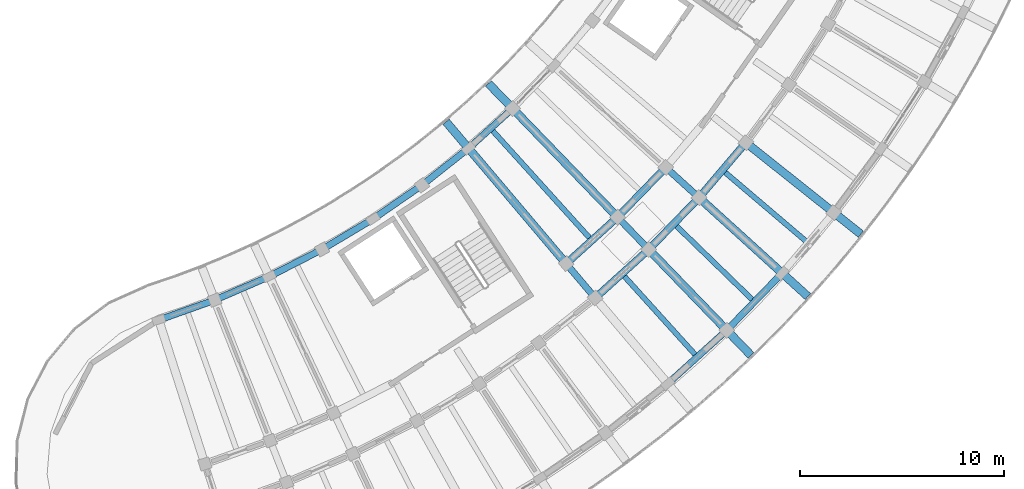
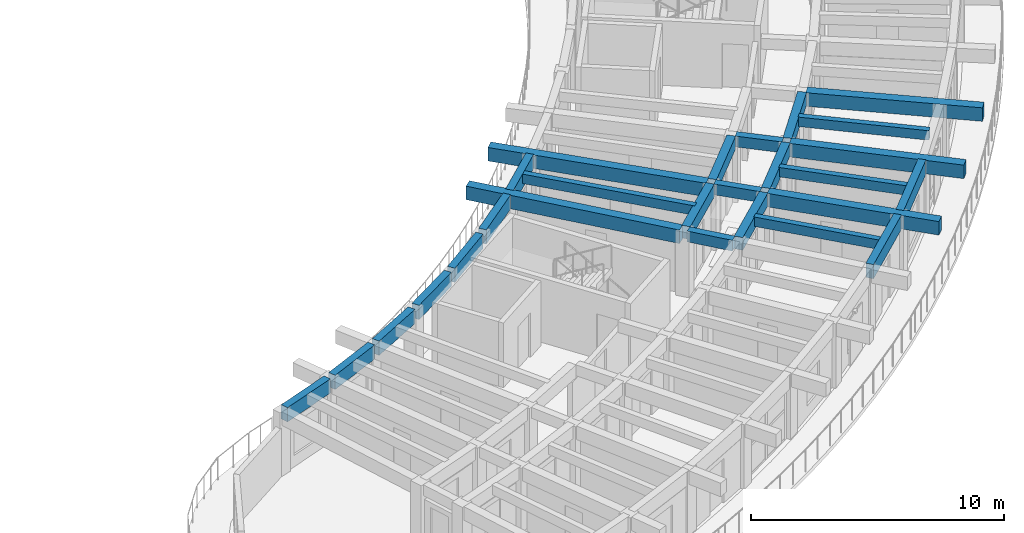
# One storey, part 19 of 78: 26 beams.
"""IFC4 building model written with IfcOpenShell, lengths in metres."""

from ifc_helpers import new_model, si_unit, direction, frame, origin, origin_2d, place, context, subcontext, project, spatial, rectangle, extrude, material, material_profile, profile_set, type_object, element, save


model = new_model("IFC4")

# Units and contexts
model_context = context("Model", 3, precision=1e-05, world=origin(), true_north=direction((0.0, 1.0)))
body_context = subcontext(model_context, "Body", "Model", "MODEL_VIEW")
ifc_project = project(units=[si_unit("LENGTHUNIT", "METRE"), si_unit("AREAUNIT", "SQUARE_METRE"), si_unit("VOLUMEUNIT", "CUBIC_METRE"), si_unit("PLANEANGLEUNIT", "RADIAN"), si_unit("MASSUNIT", "GRAM", prefix="KILO")], contexts=[model_context])

# Site, building, storey
site_placement = place(None, origin())
site = spatial("IfcSite", under=ifc_project, at=site_placement, CompositionType="ELEMENT")
building_placement = place(site_placement, origin())
building = spatial("IfcBuilding", under=site, at=building_placement, Name="Tanwirah Colonnade Gardens", CompositionType="ELEMENT")
storey_placement = place(building_placement, frame((0.0, 0.0, 22.280029296875)))
storey = spatial("IfcBuildingStorey", under=building, at=storey_placement, Name="L06", CompositionType="ELEMENT", Elevation=22.280029296875)

# Beams
ifc_material_1 = material(Name="Precast concrete C40/50", Category="concrete")
ifc_material_profile_1 = material_profile(ifc_material_1, rectangle(XDim=0.360107421875, YDim=0.610107421875, at=origin_2d()), Name="PC-BM 360x610")
ifc_profile_set_1 = profile_set([ifc_material_profile_1], Name="Precast concrete C40/50")
beam_type_1 = type_object("IfcBeamType", Name="BM-PC300", PredefinedType="BEAM", material=ifc_profile_set_1)
beam_1_placement = place(storey_placement, frame((154.61279296875, 25.027099609375, 2.804931640625), z_axis=(0.741698455559, 0.670733479873, 0.0), x_axis=(-0.670733479873, 0.741698455559, 0.0)))
element("IfcBeam", 1, at=beam_1_placement, inside=storey, type_object=beam_type_1, Name="Block D L06 Circumferential Beam 7-R1", PredefinedType="BEAM", context=body_context, shape_type="SweptSolid", body=[
    extrude(rectangle(XDim=0.360107421875, YDim=0.610107421875, at=origin_2d()), origin(), (0.0, 0.0, 1.0), 3.0927734375),
])
beam_2_placement = place(storey_placement, frame((156.0341796875, 23.347900390625, 2.804931640625), z_axis=(0.741701929733, 0.670729638104, 0.0), x_axis=(-0.670729638104, 0.741701929733, 0.0)))
element("IfcBeam", 2, at=beam_2_placement, inside=storey, type_object=beam_type_1, Name="Block D L06 Circumferential Beam 7-R2", PredefinedType="BEAM", context=body_context, shape_type="SweptSolid", body=[
    extrude(rectangle(XDim=0.360107421875, YDim=0.610107421875, at=origin_2d()), origin(), (0.0, 0.0, 1.0), 3.237060546875),
])
beam_3_placement = place(storey_placement, frame((157.12255859375, 27.309814453125, 2.804931640625), z_axis=(0.696209937932, 0.71783822852, 0.0), x_axis=(-0.71783822852, 0.696209937932, 0.0)))
element("IfcBeam", 3, at=beam_3_placement, inside=storey, type_object=beam_type_1, Name="Block D L06 Circumferential Beam 8-R1", PredefinedType="BEAM", context=body_context, shape_type="SweptSolid", body=[
    extrude(rectangle(XDim=0.360107421875, YDim=0.610107421875, at=origin_2d()), origin(), (0.0, 0.0, 1.0), 3.093017578125),
])
for number, where, z_axis, x_axis, name in (
    (4, (158.650634765625, 25.727294921875, 2.804931640625), (0.696238887656, 0.717810149911, 0.0), (-0.717810149911, 0.696238887656, 0.0), "Block D L06 Circumferential Beam 8-R2"),
    (5, (161.10595703125, 28.27294921875, 2.804931640625), (0.6478235549, 0.761790418499, 0.0), (-0.761790418499, 0.6478235549, 0.0), "Block D L06 Circumferential Beam 9-R2"),
):
    element("IfcBeam", number, at=place(storey_placement, frame(where, z_axis=z_axis, x_axis=x_axis)), inside=storey, type_object=beam_type_1, Name=name, PredefinedType="BEAM", context=body_context, shape_type="SweptSolid", body=[
        extrude(rectangle(XDim=0.360107421875, YDim=0.610107421875, at=origin_2d()), origin(), (0.0, 0.0, 1.0), 3.23681640625),
    ])
ifc_material_profile_2 = material_profile(ifc_material_1, rectangle(XDim=0.320068359375, YDim=0.52001953125, at=origin_2d()), Name="PC-BM 320x520")
ifc_profile_set_2 = profile_set([ifc_material_profile_2], Name="Precast concrete C40/50")
beam_type_2 = type_object("IfcBeamType", Name="BM-PC320", PredefinedType="BEAM", material=ifc_profile_set_2)
beam_4_placement = place(storey_placement, frame((154.598388671875, 24.81201171875, 2.849853515625), z_axis=(0.646155325581, -0.763205932382, 0.0), x_axis=(0.763205932382, 0.646155325581, 0.0)))
element("IfcBeam", 6, at=beam_4_placement, inside=storey, type_object=beam_type_2, Name="Block D L06 Corridor Tie Beam 7", PredefinedType="BEAM", context=body_context, shape_type="SweptSolid", body=[
    extrude(rectangle(XDim=0.320068359375, YDim=0.52001953125, at=origin_2d()), origin(), (0.0, 0.0, 1.0), 1.900146484375),
])
beam_5_placement = place(storey_placement, frame((157.122314453125, 27.09423828125, 2.849853515625), z_axis=(0.694663306685, -0.719335033448, 0.0), x_axis=(0.719335033448, 0.694663306685, 0.0)))
element("IfcBeam", 7, at=beam_5_placement, inside=storey, type_object=beam_type_2, Name="Block D L06 Corridor Tie Beam 8", PredefinedType="BEAM", context=body_context, shape_type="SweptSolid", body=[
    extrude(rectangle(XDim=0.320068359375, YDim=0.52001953125, at=origin_2d()), origin(), (0.0, 0.0, 1.0), 1.89990234375),
])
beam_6_placement = place(storey_placement, frame((159.491455078125, 29.536865234375, 2.849853515625), z_axis=(0.740219127015, -0.672365707038, 0.0), x_axis=(0.672365707038, 0.740219127015, 0.0)))
element("IfcBeam", 8, at=beam_6_placement, inside=storey, type_object=beam_type_2, Name="Block D L06 Corridor Tie Beam 9", PredefinedType="BEAM", context=body_context, shape_type="SweptSolid", body=[
    extrude(rectangle(XDim=0.320068359375, YDim=0.52001953125, at=origin_2d()), origin(), (0.0, 0.0, 1.0), 1.899658203125),
])
ifc_material_2 = material(Name="Precast concrete C45/55", Category="concrete")
ifc_material_profile_3 = material_profile(ifc_material_2, rectangle(XDim=0.39990234375, YDim=0.64990234375, at=origin_2d()), Name="PC-BM 400x650")
ifc_profile_set_3 = profile_set([ifc_material_profile_3], Name="Precast concrete C45/55")
beam_type_3 = type_object("IfcBeamType", Name="BM-PC400", PredefinedType="BEAM", material=ifc_profile_set_3)
beam_7_placement = place(storey_placement, frame((154.404541015625, 25.040771484375, 2.784912109375), z_axis=(-0.64611097415, 0.763243479554, 0.0), x_axis=(-0.763243479554, -0.64611097415, 0.0)))
element("IfcBeam", 9, at=beam_7_placement, inside=storey, type_object=beam_type_3, Name="Block D L06 Inner Radial Precast Girder 7", PredefinedType="BEAM", context=body_context, shape_type="SweptSolid", body=[
    extrude(rectangle(XDim=0.39990234375, YDim=0.64990234375, at=origin_2d()), origin(), (0.0, 0.0, 1.0), 8.949951171875),
])
beam_8_placement = place(storey_placement, frame((156.913818359375, 27.31005859375, 2.784912109375), z_axis=(-0.694655848402, 0.719342235852, 0.0), x_axis=(-0.719342235852, -0.694655848402, 0.0)))
element("IfcBeam", 10, at=beam_8_placement, inside=storey, type_object=beam_type_3, Name="Block D L06 Inner Radial Precast Girder 8", PredefinedType="BEAM", context=body_context, shape_type="SweptSolid", body=[
    extrude(rectangle(XDim=0.39990234375, YDim=0.64990234375, at=origin_2d()), origin(), (0.0, 0.0, 1.0), 8.9501953125),
])
beam_9_placement = place(storey_placement, frame((158.650390625, 25.51171875, 2.784912109375), z_axis=(0.69467114255, -0.719327466254, 0.0), x_axis=(0.719327466254, 0.69467114255, 0.0)))
element("IfcBeam", 11, at=beam_9_placement, inside=storey, type_object=beam_type_3, Name="Block D L06 Outer Radial Precast Girder 8", PredefinedType="BEAM", context=body_context, shape_type="SweptSolid", body=[
    extrude(rectangle(XDim=0.39990234375, YDim=0.64990234375, at=origin_2d()), origin(), (0.0, 0.0, 1.0), 7.050048828125),
])
for number, where, z_axis, x_axis, name in (
    (12, (161.119873046875, 28.0576171875, 2.784912109375), (0.740229899169, -0.672353847596, 0.0), (0.672353847596, 0.740229899169, 0.0), "Block D L06 Outer Radial Precast Girder 9"),
    (13, (163.41748046875, 30.759765625, 2.784912109375), (0.782609106384, -0.622513442911, 0.0), (0.622513442911, 0.782609106384, 0.0), "Block D L06 Outer Radial Precast Girder 10"),
):
    element("IfcBeam", number, at=place(storey_placement, frame(where, z_axis=z_axis, x_axis=x_axis)), inside=storey, type_object=beam_type_3, Name=name, PredefinedType="BEAM", context=body_context, shape_type="SweptSolid", body=[
        extrude(rectangle(XDim=0.39990234375, YDim=0.64990234375, at=origin_2d()), origin(), (0.0, 0.0, 1.0), 7.0498046875),
    ])
ifc_material_profile_4 = material_profile(ifc_material_1, rectangle(XDim=0.2548828125, YDim=0.455078125, at=origin_2d()), Name="PC-JST 255x455")
ifc_profile_set_4 = profile_set([ifc_material_profile_4], Name="Precast concrete C40/50")
beam_type_4 = type_object("IfcBeamType", Name="JST-PC240", PredefinedType="JOIST", material=ifc_profile_set_4)
beam_10_placement = place(storey_placement, frame((157.33447265625, 24.322998046875, 2.882568359375), z_axis=(0.670780841255, -0.741655622918, 0.0), x_axis=(0.741655622918, 0.670780841255, 0.0)))
element("IfcBeam", 14, at=beam_10_placement, inside=storey, type_object=beam_type_4, Name="Block D L06 Precast Floor Joist 7", PredefinedType="JOIST", context=body_context, shape_type="SweptSolid", body=[
    extrude(rectangle(XDim=0.2548828125, YDim=0.455078125, at=origin_2d()), origin(), (0.0, 0.0, 1.0), 5.260009765625),
])
beam_11_placement = place(storey_placement, frame((150.895263671875, 31.443115234375, 2.882568359375), z_axis=(0.670773136608, -0.741662591214, 0.0), x_axis=(0.741662591214, 0.670773136608, 0.0)))
element("IfcBeam", 15, at=beam_11_placement, inside=storey, type_object=beam_type_4, Name="Block D L06 Inner Precast Floor Joist 7", PredefinedType="JOIST", context=body_context, shape_type="SweptSolid", body=[
    extrude(rectangle(XDim=0.2548828125, YDim=0.455078125, at=origin_2d()), origin(), (0.0, 0.0, 1.0), 7.159912109375),
])
for number, where, z_axis, x_axis, name in (
    (16, (159.884521484375, 26.785400390625, 2.882568359375), (0.717816036263, -0.696232818878, 0.0), (0.696232818878, 0.717816036263, 0.0), "Block D L06 Precast Floor Joist 8"),
    (17, (162.267822265625, 29.409423828125, 2.882568359375), (0.761803021124, -0.647808734895, 0.0), (0.647808734895, 0.761803021124, 0.0), "Block D L06 Precast Floor Joist 9"),
):
    element("IfcBeam", number, at=place(storey_placement, frame(where, z_axis=z_axis, x_axis=x_axis)), inside=storey, type_object=beam_type_4, Name=name, PredefinedType="JOIST", context=body_context, shape_type="SweptSolid", body=[
        extrude(rectangle(XDim=0.2548828125, YDim=0.455078125, at=origin_2d()), origin(), (0.0, 0.0, 1.0), 5.260009765625),
    ])
ifc_material_profile_5 = material_profile(ifc_material_1, rectangle(XDim=0.324951171875, YDim=0.68505859375, at=origin_2d()), Name="PC-SP 325x685")
ifc_profile_set_5 = profile_set([ifc_material_profile_5], Name="Precast concrete C40/50")
beam_type_5 = type_object("IfcBeamType", Name="SP-PC260", PredefinedType="SPANDREL", material=ifc_profile_set_5)
for number, where, z_axis, x_axis, name in (
    (18, (134.692626953125, 22.21630859375, 2.767578125), (0.941898499992, 0.335897626835, 0.0), (-0.335897626835, 0.941898499992, 0.0), "Block D L06 Circumferential Beam 1-R0"),
    (19, (137.4287109375, 23.202392578125, 2.767578125), (0.917901260915, 0.396808864833, 0.0), (-0.396808864833, 0.917901260915, 0.0), "Block D L06 Circumferential Beam 2-R0"),
    (20, (140.094482421875, 24.365478515625, 2.767578125), (0.890042438658, 0.455877678097, 0.0), (-0.455877678097, 0.890042438658, 0.0), "Block D L06 Circumferential Beam 3-R0"),
    (21, (142.678466796875, 25.7001953125, 2.767578125), (0.858301131151, 0.513146341958, 0.0), (-0.513146341958, 0.858301131151, 0.0), "Block D L06 Circumferential Beam 4-R0"),
):
    element("IfcBeam", number, at=place(storey_placement, frame(where, z_axis=z_axis, x_axis=x_axis)), inside=storey, type_object=beam_type_5, Name=name, PredefinedType="SPANDREL", context=body_context, shape_type="SweptSolid", body=[
        extrude(rectangle(XDim=0.324951171875, YDim=0.68505859375, at=origin_2d()), origin(), (0.0, 0.0, 1.0), 2.608642578125),
    ])
for number, where, z_axis, x_axis, name in (
    (22, (145.169677734375, 27.200927734375, 2.767578125), (0.822868771031, 0.568231454305, 0.0), (-0.568231454305, 0.822868771031, 0.0), "Block D L06 Circumferential Beam 5-R0"),
    (23, (147.557373046875, 28.861572265625, 2.767578125), (0.783945239852, 0.62082997746, 0.0), (-0.62082997746, 0.783945239852, 0.0), "Block D L06 Circumferential Beam 6-R0"),
):
    element("IfcBeam", number, at=place(storey_placement, frame(where, z_axis=z_axis, x_axis=x_axis)), inside=storey, type_object=beam_type_5, Name=name, PredefinedType="SPANDREL", context=body_context, shape_type="SweptSolid", body=[
        extrude(rectangle(XDim=0.324951171875, YDim=0.68505859375, at=origin_2d()), origin(), (0.0, 0.0, 1.0), 2.60888671875),
    ])
beam_12_placement = place(storey_placement, frame((149.83154296875, 30.675048828125, 2.767578125), z_axis=(0.741686528432, 0.670746668678, 0.0), x_axis=(-0.670746668678, 0.741686528432, 0.0)))
element("IfcBeam", 24, at=beam_12_placement, inside=storey, type_object=beam_type_5, Name="Block D L06 Circumferential Beam 7-R0", PredefinedType="SPANDREL", context=body_context, shape_type="SweptSolid", body=[
    extrude(rectangle(XDim=0.324951171875, YDim=0.68505859375, at=origin_2d()), origin(), (0.0, 0.0, 1.0), 2.608642578125),
])
beam_13_placement = place(storey_placement, frame((159.587890625, 19.150146484375, 2.767578125), z_axis=(0.741682092868, 0.670751573325, 0.0), x_axis=(-0.670751573325, 0.741682092868, 0.0)))
element("IfcBeam", 25, at=beam_13_placement, inside=storey, type_object=beam_type_5, Name="Block D L06 Circumferential Beam 7-R3", PredefinedType="SPANDREL", context=body_context, shape_type="SweptSolid", body=[
    extrude(rectangle(XDim=0.324951171875, YDim=0.68505859375, at=origin_2d()), origin(), (0.0, 0.0, 1.0), 3.596923828125),
])
beam_14_placement = place(storey_placement, frame((162.471435546875, 21.77099609375, 2.767578125), z_axis=(0.696231699401, 0.717817122079, 0.0), x_axis=(-0.717817122079, 0.696231699401, 0.0)))
element("IfcBeam", 26, at=beam_14_placement, inside=storey, type_object=beam_type_5, Name="Block D L06 Circumferential Beam 8-R3", PredefinedType="SPANDREL", context=body_context, shape_type="SweptSolid", body=[
    extrude(rectangle(XDim=0.324951171875, YDim=0.68505859375, at=origin_2d()), origin(), (0.0, 0.0, 1.0), 3.5966796875),
])

save(model, "model.ifc")
